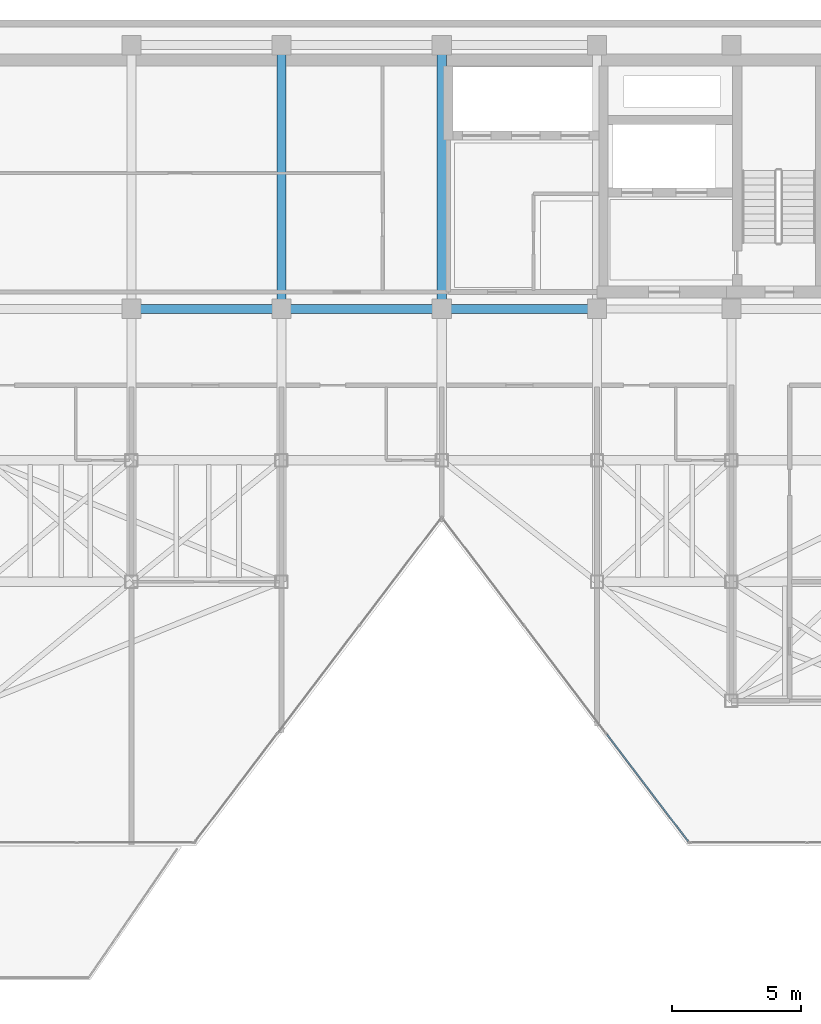
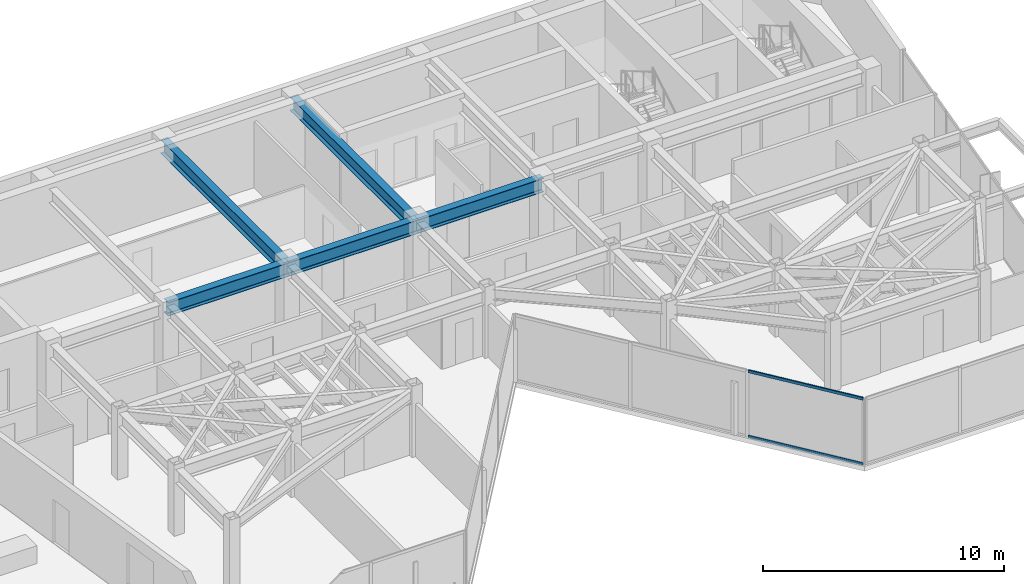
# One storey, part 8 of 21: 5 beams, 2 members, 1 element without a shape of its own.
"""IFC4 building model written with IfcOpenShell, lengths in metres."""

from ifc_helpers import new_model, si_unit, direction, frame, origin, origin_2d, place, context, subcontext, project, spatial, hollow_rectangle, i_section, extrude, material, layer, layer_set, material_profile, profile_set, type_object, element, aggregate, save


model = new_model("IFC4")

# Units and contexts
model_context = context("Model", 3, precision=1e-05, world=origin(), true_north=direction((0.0, 1.0)))
body_context = subcontext(model_context, "Body", "Model", "MODEL_VIEW")
ifc_project = project(units=[si_unit("LENGTHUNIT", "METRE"), si_unit("AREAUNIT", "SQUARE_METRE"), si_unit("VOLUMEUNIT", "CUBIC_METRE"), si_unit("PLANEANGLEUNIT", "RADIAN"), si_unit("MASSUNIT", "GRAM", prefix="KILO")], contexts=[model_context])

# Site, building, storey
site_placement = place(None, origin())
site = spatial("IfcSite", under=ifc_project, at=site_placement, CompositionType="ELEMENT")
building_placement = place(site_placement, origin())
building = spatial("IfcBuilding", under=site, at=building_placement, Name="Kravanh Interchange Tower", CompositionType="ELEMENT")
storey_placement = place(building_placement, frame((0.0, 0.0, 231.0)))
storey = spatial("IfcBuildingStorey", under=building, at=storey_placement, Name="L55", CompositionType="ELEMENT", Elevation=231.0)

# Curtain wall, members
ifc_material_1 = material(Name="Anodised Bronze Aluminium", Category="aluminium")
ifc_layer = layer(ifc_material_1, 0.179931640625)
ifc_layer_set = layer_set([ifc_layer], Name="Unitised Curtain Wall System CW-HTL Luxury Hotel")
curtain_wall_type = type_object("IfcCurtainWallType", Name="Unitised Curtain Wall System CW-HTL Luxury Hotel", PredefinedType="NOTDEFINED", material=ifc_layer_set)
curtain_wall_placement = place(storey_placement, origin())
curtain_wall = element("IfcCurtainWall", 1, at=curtain_wall_placement, inside=storey, type_object=curtain_wall_type, Name="L55 Unitised Curtain Wall CW-L55-04", PredefinedType="NOTDEFINED")
ifc_material_2 = material(Name="Anodised Bronze Aluminium", Category="aluminium")
ifc_material_profile_1 = material_profile(ifc_material_2, hollow_rectangle(XDim=0.06005859375, YDim=0.139892578125, WallThickness=0.00390625, at=origin_2d()), Name="ALU60X140X4")
ifc_profile_set_1 = profile_set([ifc_material_profile_1], Name="Anodised Bronze Aluminium")
member_type = type_object("IfcMemberType", Name="Curtain Wall Transom ALU60X140X4 Bronze", PredefinedType="USERDEFINED", material=ifc_profile_set_1)
member_1_placement = place(storey_placement, frame((54.3232421875, 16.767822265625, 0.030029296875), z_axis=(-0.605089246946, 0.796157649734, 0.0), x_axis=(-0.796157649734, -0.605089246946, 0.0)))
member_1 = element("IfcMember", 2, at=member_1_placement, type_object=member_type, Name="CW-HTL transom 1.1", ObjectType="TRANSOM", PredefinedType="USERDEFINED", context=body_context, shape_type="SweptSolid", body=[
    extrude(hollow_rectangle(XDim=0.06005859375, YDim=0.139892578125, WallThickness=0.00390625, at=origin_2d()), origin(), (0.0, 0.0, 1.0), 5.17626953125),
])
member_2_placement = place(storey_placement, frame((54.3232421875, 16.767822265625, 3.330078125), z_axis=(-0.605089246946, 0.796157649734, 0.0), x_axis=(-0.796157649734, -0.605089246946, 0.0)))
member_2 = element("IfcMember", 3, at=member_2_placement, type_object=member_type, Name="CW-HTL transom 1.2", ObjectType="TRANSOM", PredefinedType="USERDEFINED", context=body_context, shape_type="SweptSolid", body=[
    extrude(hollow_rectangle(XDim=0.06005859375, YDim=0.139892578125, WallThickness=0.00390625, at=origin_2d()), origin(), (0.0, 0.0, 1.0), 5.17626953125),
])
aggregate(curtain_wall, [member_1, member_2])

# Beams
ifc_material_3 = material(Name="Structural Steel S355", Category="steel")
ifc_material_profile_2 = material_profile(ifc_material_3, i_section(OverallWidth=0.35498046875, OverallDepth=0.696044921875, WebThickness=0.015380859375, FlangeThickness=0.02490234375, FilletRadius=0.02392578125, at=origin_2d()), Name="W27X146")
ifc_profile_set_2 = profile_set([ifc_material_profile_2], Name="Structural Steel S355")
beam_type = type_object("IfcBeamType", Name="Floor Beam W27X146 Structural Steel S355", PredefinedType="BEAM", material=ifc_profile_set_2)
beam_1_placement = place(storey_placement, frame((50.800048828125, 37.35009765625, 3.011962890625), z_axis=(-1.0, 0.0, 0.0), x_axis=(0.0, -1.0, 0.0)))
element("IfcBeam", 4, at=beam_1_placement, inside=storey, type_object=beam_type, Name="L55 Primary Floor Girder 51", PredefinedType="BEAM", context=body_context, shape_type="SweptSolid", body=[
    extrude(i_section(OverallWidth=0.35498046875, OverallDepth=0.696044921875, WebThickness=0.015380859375, FlangeThickness=0.02490234375, FilletRadius=0.02392578125, at=origin_2d()), origin(), (0.0, 0.0, 1.0), 6.0),
])
beam_2_placement = place(storey_placement, frame((44.800048828125, 37.35009765625, 3.011962890625), z_axis=(-1.0, 0.0, 0.0), x_axis=(0.0, -1.0, 0.0)))
element("IfcBeam", 5, at=beam_2_placement, inside=storey, type_object=beam_type, Name="L55 Primary Floor Girder 52", PredefinedType="BEAM", context=body_context, shape_type="SweptSolid", body=[
    extrude(i_section(OverallWidth=0.35498046875, OverallDepth=0.696044921875, WebThickness=0.015380859375, FlangeThickness=0.02490234375, FilletRadius=0.02392578125, at=origin_2d()), origin(), (0.0, 0.0, 1.0), 6.199951171875),
])
beam_3_placement = place(storey_placement, frame((44.800048828125, 37.35009765625, 3.011962890625), z_axis=(0.0, 1.0, 0.0), x_axis=(-1.0, 0.0, 0.0)))
element("IfcBeam", 6, at=beam_3_placement, inside=storey, type_object=beam_type, Name="L55 Primary Floor Girder 53", PredefinedType="BEAM", context=body_context, shape_type="SweptSolid", body=[
    extrude(i_section(OverallWidth=0.35498046875, OverallDepth=0.696044921875, WebThickness=0.015380859375, FlangeThickness=0.02490234375, FilletRadius=0.02392578125, at=origin_2d()), origin(), (0.0, 0.0, 1.0), 10.199951171875),
])
beam_4_placement = place(storey_placement, frame((38.60009765625, 37.35009765625, 3.011962890625), z_axis=(-1.0, 0.0, 0.0), x_axis=(0.0, -1.0, 0.0)))
element("IfcBeam", 7, at=beam_4_placement, inside=storey, type_object=beam_type, Name="L55 Primary Floor Girder 55", PredefinedType="BEAM", context=body_context, shape_type="SweptSolid", body=[
    extrude(i_section(OverallWidth=0.35498046875, OverallDepth=0.696044921875, WebThickness=0.015380859375, FlangeThickness=0.02490234375, FilletRadius=0.02392578125, at=origin_2d()), origin(), (0.0, 0.0, 1.0), 5.800048828125),
])
beam_5_placement = place(storey_placement, frame((38.60009765625, 37.35009765625, 3.011962890625), z_axis=(0.0, 1.0, 0.0), x_axis=(-1.0, 0.0, 0.0)))
element("IfcBeam", 8, at=beam_5_placement, inside=storey, type_object=beam_type, Name="L55 Primary Floor Girder 56", PredefinedType="BEAM", context=body_context, shape_type="SweptSolid", body=[
    extrude(i_section(OverallWidth=0.35498046875, OverallDepth=0.696044921875, WebThickness=0.015380859375, FlangeThickness=0.02490234375, FilletRadius=0.02392578125, at=origin_2d()), origin(), (0.0, 0.0, 1.0), 10.199951171875),
])

save(model, "model.ifc")
